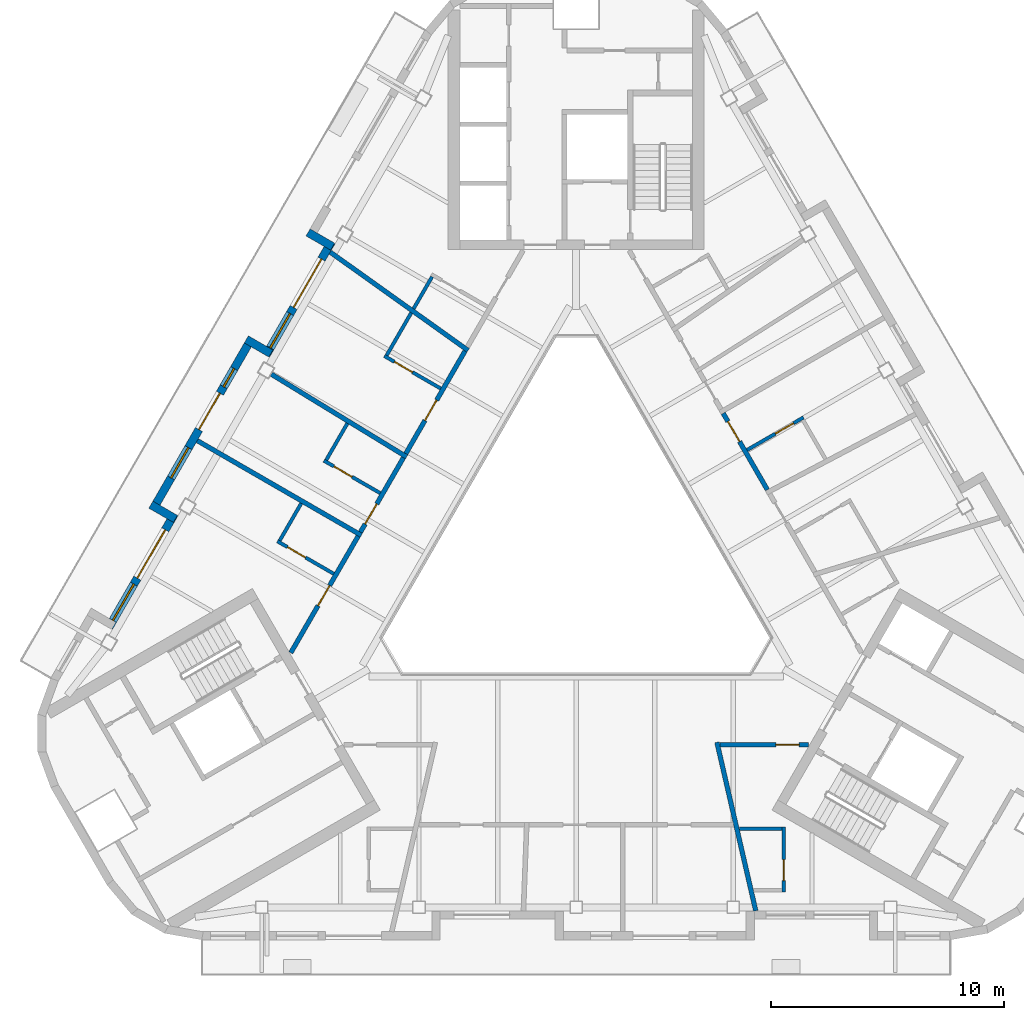
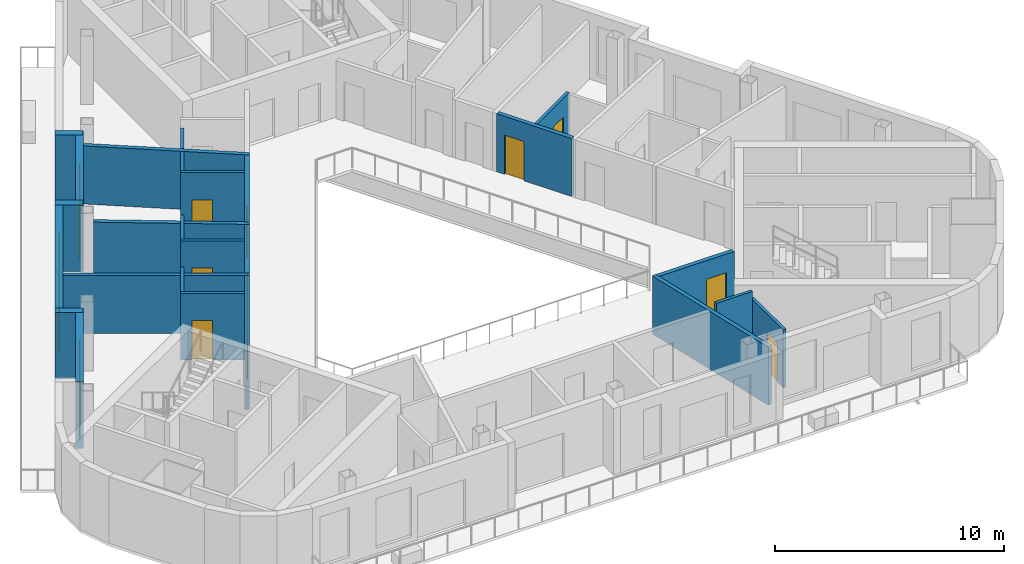
# One storey, part 4 of 12: 25 walls, 13 doors, 4 windows, 17 openings.
"""IFC4 building model written with IfcOpenShell, lengths in metres."""

import ifcopenshell
import ifcopenshell.guid

model = None  # the IFC model being written
_history = None  # IfcOwnerHistory: only IFC2X3 demands one
_inside = {}  # id of a spatial element -> (the spatial element, [elements in it])
_under = {}  # id of a project, library or spatial element -> (it, [spatial elements below it])
_declared = {}  # id of a project -> (the project, [libraries it declares])
_typed = {}  # id of a type object -> (the type object, [elements of that type])
_made_of = {}  # id of a material, layer set ... -> (it, [elements and type objects made of it])


def new_model(schema):
    """Start an empty IFC model of exactly this schema.

    Asked for "IFC4X3", IfcOpenShell would pick the latest addendum, in which some entities
    have other attributes; the version numbers below select the first issue.
    IFC2X3 requires an IfcOwnerHistory on every rooted entity: one is made here for all.
    """
    global model, _history
    if schema == "IFC4X3":
        model = ifcopenshell.file(schema_version=(4, 3, 0, 0))
    else:
        model = ifcopenshell.file(schema=schema)
    _inside.clear()
    _under.clear()
    _declared.clear()
    _typed.clear()
    _made_of.clear()
    _history = None
    if model.schema == "IFC2X3":
        org = make("IfcOrganization", Name="unknown")
        user = make(
            "IfcPersonAndOrganization",
            ThePerson=make("IfcPerson", FamilyName="unknown"),
            TheOrganization=org,
        )
        app = make(
            "IfcApplication",
            ApplicationDeveloper=org,
            Version="unknown",
            ApplicationFullName="unknown",
            ApplicationIdentifier="unknown",
        )
        _history = make(
            "IfcOwnerHistory",
            OwningUser=user,
            OwningApplication=app,
            ChangeAction="ADDED",
            CreationDate=0,
        )
    return model


def make(cls, **values):
    """One entity of the class cls with the attributes given. An attribute that is None is left unset."""
    return model.create_entity(
        cls, **{name: value for name, value in values.items() if value is not None}
    )


def rooted(cls, **values):
    """An entity with a GlobalId (a new one), such as an element, a storey or a relation."""
    return make(cls, GlobalId=ifcopenshell.guid.new(), OwnerHistory=_history, **values)


def si_unit(unit_type, name, prefix=None):
    """IfcSIUnit, for example si_unit("LENGTHUNIT", "METRE", prefix="MILLI")."""
    return make("IfcSIUnit", UnitType=unit_type, Prefix=prefix, Name=name)


def assignment(units):
    """IfcUnitAssignment: the units of a project."""
    return None if units is None else make("IfcUnitAssignment", Units=units)


def point(xyz):
    """IfcCartesianPoint."""
    return None if xyz is None else make("IfcCartesianPoint", Coordinates=xyz)


def direction(xyz):
    """IfcDirection."""
    return None if xyz is None else make("IfcDirection", DirectionRatios=xyz)


def frame(location, z_axis=None, x_axis=None):
    """IfcAxis2Placement3D, a coordinate frame: its origin and axes. An axis left out is left unset."""
    return make(
        "IfcAxis2Placement3D",
        Location=point(location),
        Axis=direction(z_axis),
        RefDirection=direction(x_axis),
    )


def frame_2d(location, x_axis=None):
    """IfcAxis2Placement2D, a coordinate frame in the plane: its origin and x axis."""
    return make(
        "IfcAxis2Placement2D", Location=point(location), RefDirection=direction(x_axis)
    )


def origin():
    """The frame at (0, 0, 0) with its axes left unset."""
    return frame((0.0, 0.0, 0.0))


def place(relative_to, where):
    """IfcLocalPlacement: puts the frame where relative to a parent placement (None: the world)."""
    return make(
        "IfcLocalPlacement", PlacementRelTo=relative_to, RelativePlacement=where
    )


def context(
    kind, dimensions, precision=None, world=None, true_north=None, identifier=None
):
    """IfcGeometricRepresentationContext, for example the 3D "Model" context."""
    return make(
        "IfcGeometricRepresentationContext",
        ContextIdentifier=identifier,
        ContextType=kind,
        CoordinateSpaceDimension=dimensions,
        Precision=precision,
        WorldCoordinateSystem=world,
        TrueNorth=true_north,
    )


def subcontext(parent, identifier, kind, view, scale=None):
    """IfcGeometricRepresentationSubContext, for example "Body" below "Model"."""
    return make(
        "IfcGeometricRepresentationSubContext",
        ContextIdentifier=identifier,
        ContextType=kind,
        ParentContext=parent,
        TargetScale=scale,
        TargetView=view,
    )


def project(units=None, contexts=None):
    """IfcProject with its units and contexts."""
    return rooted(
        "IfcProject",
        Name="project",
        RepresentationContexts=contexts,
        UnitsInContext=assignment(units),
    )


def spatial(cls, under=None, at=None, **own):
    """A site, building, storey or space (cls), placed at a placement, below another one or the project."""
    s = rooted(cls, ObjectPlacement=at, **own)
    if under is not None:
        _under.setdefault(under.id(), (under, []))[1].append(s)
    return s


def profile(cls, at=None, kind="AREA", **sizes):
    """A parametric profile (cls). Its sizes go by their IFC names, for example OverallWidth=200.0."""
    return make(cls, ProfileType=kind, Position=at, **sizes)


def rectangle(**sizes):
    """IfcRectangleProfileDef."""
    return profile("IfcRectangleProfileDef", **sizes)


def extrude(swept, where, along, depth):
    """IfcExtrudedAreaSolid: the profile swept, set in the frame where, extruded along a direction by depth."""
    return make(
        "IfcExtrudedAreaSolid",
        SweptArea=swept,
        Position=where,
        ExtrudedDirection=direction(along),
        Depth=depth,
    )


def shape(context_of_items, identifier, shape_type, items):
    """IfcShapeRepresentation: the items that make up one representation, for example the "Body"."""
    return make(
        "IfcShapeRepresentation",
        ContextOfItems=context_of_items,
        RepresentationIdentifier=identifier,
        RepresentationType=shape_type,
        Items=items,
    )


def material(Name=None, Category=None):
    """IfcMaterial."""
    return make("IfcMaterial", Name=Name, Category=Category)


def layer(
    of_material, thickness, ventilated=None, Name=None, Category=None, Priority=None
):
    """IfcMaterialLayer: one layer of a wall or slab, of a material (None: an air gap)."""
    return make(
        "IfcMaterialLayer",
        Material=of_material,
        LayerThickness=thickness,
        IsVentilated=ventilated,
        Name=Name,
        Category=Category,
        Priority=Priority,
    )


def layer_set(layers, Name=None):
    """IfcMaterialLayerSet."""
    return make("IfcMaterialLayerSet", MaterialLayers=layers, LayerSetName=Name)


def made_of(thing, what):
    """Note that an element or type object is made of a material, layer set ...; save() writes the relation."""
    if what is not None:
        _made_of.setdefault(what.id(), (what, []))[1].append(thing)
    return thing


def type_object(cls, material=None, **own):
    """A type object (cls), such as IfcWallType, which elements share."""
    return made_of(rooted(cls, **own), material)


def element(
    cls,
    number,
    at=None,
    inside=None,
    cuts=None,
    type_object=None,
    material=None,
    context=None,
    identifier="Body",
    shape_type=None,
    held_by="IfcProductDefinitionShape",
    body=None,
    shapes=None,
    **own,
):
    """One element of the class cls, such as IfcWall. Its Tag is "e" and its number.

    at: its placement. inside: the storey or other place that contains it. cuts: it is an
    opening in that element (IfcRelVoidsElement). A single representation is given by context,
    identifier, shape_type and body (its items); several are given by shapes. held_by: the class
    of the entity that holds the representations. save() writes the other relations.
    """
    e = rooted(cls, Tag="e%d" % number, ObjectPlacement=at, **own)
    if body is not None:
        shapes = [shape(context, identifier, shape_type, body)]
    if shapes is not None:
        e.Representation = make(held_by, Representations=shapes)
    if inside is not None:
        _inside.setdefault(inside.id(), (inside, []))[1].append(e)
    if cuts is not None:
        rooted(
            "IfcRelVoidsElement", RelatingBuildingElement=cuts, RelatedOpeningElement=e
        )
    if type_object is not None:
        _typed.setdefault(type_object.id(), (type_object, []))[1].append(e)
    return made_of(e, material)


def fill(opening, filler):
    """IfcRelFillsElement: the door or window that sits in an opening."""
    return rooted(
        "IfcRelFillsElement",
        RelatingOpeningElement=opening,
        RelatedBuildingElement=filler,
    )


def aggregate(whole, parts):
    """IfcRelAggregates: a whole, such as a stair, and the parts it consists of."""
    return rooted("IfcRelAggregates", RelatingObject=whole, RelatedObjects=parts)


def save(model, path):
    """Write the relations noted so far, then the file.

    IfcRelAggregates (storeys below a building ...), IfcRelContainedInSpatialStructure (elements
    in a storey), IfcRelDefinesByType, IfcRelAssociatesMaterial and IfcRelDeclares: one each for
    every whole, place, type object, material and project.
    """
    for whole, parts in _under.values():
        aggregate(whole, parts)
    for where, things in _inside.values():
        rooted(
            "IfcRelContainedInSpatialStructure",
            RelatedElements=things,
            RelatingStructure=where,
        )
    for kind, things in _typed.values():
        rooted("IfcRelDefinesByType", RelatedObjects=things, RelatingType=kind)
    for what, things in _made_of.values():
        rooted("IfcRelAssociatesMaterial", RelatedObjects=things, RelatingMaterial=what)
    for by, libraries in _declared.values():
        rooted("IfcRelDeclares", RelatingContext=by, RelatedDefinitions=libraries)
    model.write(path)


model = new_model("IFC4")

# Units and contexts
model_context = context("Model", 3, precision=1e-05, world=origin(), true_north=direction((0.0, 1.0)))
body_context = subcontext(model_context, "Body", "Model", "MODEL_VIEW")
ifc_project = project(units=[si_unit("LENGTHUNIT", "METRE"), si_unit("AREAUNIT", "SQUARE_METRE"), si_unit("VOLUMEUNIT", "CUBIC_METRE"), si_unit("PLANEANGLEUNIT", "RADIAN"), si_unit("MASSUNIT", "GRAM", prefix="KILO")], contexts=[model_context])

# Site, building, storey
site_placement = place(None, origin())
site = spatial("IfcSite", under=ifc_project, at=site_placement, CompositionType="ELEMENT")
building_placement = place(site_placement, origin())
building = spatial("IfcBuilding", under=site, at=building_placement, Name="Apuvela Tower Hotel", CompositionType="ELEMENT")
storey_placement = place(building_placement, frame((0.0, 0.0, 305.89990234375)))
storey = spatial("IfcBuildingStorey", under=building, at=storey_placement, Name="L76", CompositionType="ELEMENT", Elevation=305.89990234375)

# Wall
ifc_material_1 = material(Name="Concrete C40/50, dark pigmented precast panel", Category="concrete")
ifc_layer_1 = layer(ifc_material_1, 0.35009765625)
ifc_layer_set_1 = layer_set([ifc_layer_1], Name="ENV-WALL-350")
wall_type_1 = type_object("IfcWallType", Name="ENV-WALL-350", PredefinedType="SOLIDWALL", material=ifc_layer_set_1)
wall_1_placement = place(storey_placement, frame((-11.527587890625, 13.622802734375, 0.0), z_axis=(0.0, 0.0, 1.0), x_axis=(0.866005645448, -0.500034220881, 0.0)))
element("IfcWall", 1, at=wall_1_placement, inside=storey, type_object=wall_type_1, Name="External wall L76-02", PredefinedType="SOLIDWALL", context=body_context, shape_type="SweptSolid", body=[
    extrude(rectangle(XDim=1.22021484375, YDim=0.35009765625, at=frame_2d((0.610107421875, 0.0))), origin(), (0.0, 0.0, 1.0), 3.550048828125),
])

# Wall, openings, door, window
wall_2_placement = place(storey_placement, frame((-10.52392578125, 13.2109375, 0.0), z_axis=(0.0, 0.0, 1.0), x_axis=(-0.500008054862, -0.866020753258, 0.0)))
wall_2 = element("IfcWall", 2, at=wall_2_placement, inside=storey, type_object=wall_type_1, Name="External wall L76-03", PredefinedType="SOLIDWALL", context=body_context, shape_type="SweptSolid", body=[
    extrude(rectangle(XDim=5.59912109375, YDim=0.35009765625, at=frame_2d((2.799560546875, 0.0))), origin(), (0.0, 0.0, 1.0), 3.550048828125),
])
opening_1_placement = place(wall_2_placement, frame((0.85107421875, 0.0, 0.0)))
opening_1 = element("IfcOpeningElement", 3, at=opening_1_placement, cuts=wall_2, Name="Opening BD24", PredefinedType="OPENING", context=body_context, shape_type="SweptSolid", body=[
    extrude(rectangle(XDim=2.39990234375, YDim=2.39990234375, at=frame_2d((1.199951171875, 1.199951171875))), frame((0.0, 0.18505859375, 0.0), z_axis=(0.0, -1.0, 0.0), x_axis=(1.0, 0.0, 0.0)), (0.0, 0.0, 1.0), 0.3701171875),
])
opening_2_placement = place(wall_2_placement, frame((3.551025390625, 0.0, 0.300048828125)))
opening_2 = element("IfcOpeningElement", 4, at=opening_2_placement, cuts=wall_2, Name="Opening WN17", PredefinedType="OPENING", context=body_context, shape_type="SweptSolid", body=[
    extrude(rectangle(XDim=1.699951171875, YDim=2.64990234375, at=frame_2d((0.85009765625, 1.324951171875))), frame((0.0, 0.18505859375, 0.0), z_axis=(0.0, -1.0, 0.0), x_axis=(1.0, 0.0, 0.0)), (0.0, 0.0, 1.0), 0.3701171875),
])
ifc_material_2 = material(Name="Aluminium 6063-T6, dark bronze anodised frame with dark tinted laminated glass", Category="aluminium")
door_type_1 = type_object("IfcDoorType", Name="ENV-DOOR-BALCONY-2400x2400", OperationType="SLIDING_TO_LEFT", PredefinedType="DOOR", material=ifc_material_2)
door_1_placement = place(opening_1_placement, frame((2.39990234375, 0.0, 0.0), z_axis=(0.0, 0.0, 1.0), x_axis=(-1.0, 0.0, 0.0)))
door_1 = element("IfcDoor", 5, at=door_1_placement, inside=storey, type_object=door_type_1, Name="Balcony door BD24", OperationType="SLIDING_TO_LEFT", OverallHeight=2.39990234375, OverallWidth=2.39990234375, PredefinedType="DOOR", context=body_context, shape_type="SweptSolid", body=[
    extrude(rectangle(XDim=2.39990234375, YDim=2.39990234375, at=frame_2d((1.199951171875, 1.199951171875))), frame((0.0, 0.02490234375, 0.0), z_axis=(0.0, -1.0, 0.0), x_axis=(1.0, 0.0, 0.0)), (0.0, 0.0, 1.0), 0.050048828125),
])
fill(opening_1, door_1)
ifc_material_3 = material(Name="Glass, dark tinted laminated insulated glazing unit", Category="glass")
window_type_1 = type_object("IfcWindowType", Name="ENV-WIN-1700x2650", PartitioningType="SINGLE_PANEL", PredefinedType="WINDOW", material=ifc_material_3)
window_1_placement = place(opening_2_placement, origin())
window_1 = element("IfcWindow", 6, at=window_1_placement, inside=storey, type_object=window_type_1, Name="Window WN17", OverallHeight=2.64990234375, OverallWidth=1.699951171875, PartitioningType="SINGLE_PANEL", PredefinedType="WINDOW", context=body_context, shape_type="SweptSolid", body=[
    extrude(rectangle(XDim=1.699951171875, YDim=2.64990234375, at=frame_2d((0.85009765625, 1.324951171875))), frame((0.0, 0.030029296875, 0.0), z_axis=(0.0, -1.0, 0.0), x_axis=(1.0, 0.0, 0.0)), (0.0, 0.0, 1.0), 0.06005859375),
])
fill(opening_2, window_1)

# Wall
wall_3_placement = place(storey_placement, frame((-13.12548828125, 8.4150390625, 0.0), z_axis=(0.0, 0.0, 1.0), x_axis=(-0.865955602162, 0.500120880472, 0.0)))
element("IfcWall", 7, at=wall_3_placement, inside=storey, type_object=wall_type_1, Name="External wall L76-04", PredefinedType="SOLIDWALL", context=body_context, shape_type="SweptSolid", body=[
    extrude(rectangle(XDim=1.219970703125, YDim=0.35009765625, at=frame_2d((0.60986328125, 0.0))), origin(), (0.0, 0.0, 1.0), 3.550048828125),
])

# Wall, openings, door, windows
wall_4_placement = place(storey_placement, frame((-13.94287109375, 9.089111328125, 0.0), z_axis=(0.0, 0.0, 1.0), x_axis=(-0.500013816581, -0.866017426631, 0.0)))
wall_4 = element("IfcWall", 8, at=wall_4_placement, inside=storey, type_object=wall_type_1, Name="External wall L76-05", PredefinedType="SOLIDWALL", context=body_context, shape_type="SweptSolid", body=[
    extrude(rectangle(XDim=8.558837890625, YDim=0.35009765625, at=frame_2d((4.279296875, 0.0))), origin(), (0.0, 0.0, 1.0), 3.550048828125),
])
opening_3_placement = place(wall_4_placement, frame((2.750244140625, 0.0, 0.0)))
opening_3 = element("IfcOpeningElement", 9, at=opening_3_placement, cuts=wall_4, Name="Opening BD18", PredefinedType="OPENING", context=body_context, shape_type="SweptSolid", body=[
    extrude(rectangle(XDim=1.800048828125, YDim=2.39990234375, at=frame_2d((0.89990234375, 1.199951171875))), frame((0.0, 0.18505859375, 0.0), z_axis=(0.0, -1.0, 0.0), x_axis=(1.0, 0.0, 0.0)), (0.0, 0.0, 1.0), 0.3701171875),
])
opening_4_placement = place(wall_4_placement, frame((1.52490234375, 0.0, 0.300048828125)))
opening_4 = element("IfcOpeningElement", 10, at=opening_4_placement, cuts=wall_4, Name="Opening WN09", PredefinedType="OPENING", context=body_context, shape_type="SweptSolid", body=[
    extrude(rectangle(XDim=0.89990234375, YDim=2.64990234375, at=frame_2d((0.449951171875, 1.324951171875))), frame((0.0, 0.18505859375, 0.0), z_axis=(0.0, -1.0, 0.0), x_axis=(1.0, 0.0, 0.0)), (0.0, 0.0, 1.0), 0.3701171875),
])
opening_5_placement = place(wall_4_placement, frame((5.4501953125, 0.0, 0.300048828125)))
opening_5 = element("IfcOpeningElement", 11, at=opening_5_placement, cuts=wall_4, Name="Opening WN15", PredefinedType="OPENING", context=body_context, shape_type="SweptSolid", body=[
    extrude(rectangle(XDim=1.5, YDim=2.64990234375, at=frame_2d((0.75, 1.324951171875))), frame((0.0, 0.18505859375, 0.0), z_axis=(0.0, -1.0, 0.0), x_axis=(1.0, 0.0, 0.0)), (0.0, 0.0, 1.0), 0.3701171875),
])
door_type_2 = type_object("IfcDoorType", Name="ENV-DOOR-BALCONY-1800x2400", OperationType="SLIDING_TO_LEFT", PredefinedType="DOOR", material=ifc_material_2)
door_2_placement = place(opening_3_placement, frame((1.800048828125, 0.0, 0.0), z_axis=(0.0, 0.0, 1.0), x_axis=(-1.0, 0.0, 0.0)))
door_2 = element("IfcDoor", 12, at=door_2_placement, inside=storey, type_object=door_type_2, Name="Balcony door BD18", OperationType="SLIDING_TO_LEFT", OverallHeight=2.39990234375, OverallWidth=1.800048828125, PredefinedType="DOOR", context=body_context, shape_type="SweptSolid", body=[
    extrude(rectangle(XDim=1.800048828125, YDim=2.39990234375, at=frame_2d((0.89990234375, 1.199951171875))), frame((0.0, 0.02490234375, 0.0), z_axis=(0.0, -1.0, 0.0), x_axis=(1.0, 0.0, 0.0)), (0.0, 0.0, 1.0), 0.050048828125),
])
fill(opening_3, door_2)
window_type_2 = type_object("IfcWindowType", Name="ENV-WIN-1500x2650", PartitioningType="SINGLE_PANEL", PredefinedType="WINDOW", material=ifc_material_3)
window_2_placement = place(opening_5_placement, origin())
window_2 = element("IfcWindow", 13, at=window_2_placement, inside=storey, type_object=window_type_2, Name="Window WN15", OverallHeight=2.64990234375, OverallWidth=1.5, PartitioningType="SINGLE_PANEL", PredefinedType="WINDOW", context=body_context, shape_type="SweptSolid", body=[
    extrude(rectangle(XDim=1.5, YDim=2.64990234375, at=frame_2d((0.75, 1.324951171875))), frame((0.0, 0.030029296875, 0.0), z_axis=(0.0, -1.0, 0.0), x_axis=(1.0, 0.0, 0.0)), (0.0, 0.0, 1.0), 0.06005859375),
])
fill(opening_5, window_2)
window_type_3 = type_object("IfcWindowType", Name="ENV-WIN-900x2650", PartitioningType="SINGLE_PANEL", PredefinedType="WINDOW", material=ifc_material_3)
window_3_placement = place(opening_4_placement, origin())
window_3 = element("IfcWindow", 14, at=window_3_placement, inside=storey, type_object=window_type_3, Name="Window WN09", OverallHeight=2.64990234375, OverallWidth=0.89990234375, PartitioningType="SINGLE_PANEL", PredefinedType="WINDOW", context=body_context, shape_type="SweptSolid", body=[
    extrude(rectangle(XDim=0.89990234375, YDim=2.64990234375, at=frame_2d((0.449951171875, 1.324951171875))), frame((0.0, 0.030029296875, 0.0), z_axis=(0.0, -1.0, 0.0), x_axis=(1.0, 0.0, 0.0)), (0.0, 0.0, 1.0), 0.06005859375),
])
fill(opening_4, window_3)

# Wall
wall_5_placement = place(storey_placement, frame((-18.28662109375, 1.916015625, 0.0), z_axis=(0.0, 0.0, 1.0), x_axis=(0.866142280446, -0.499797509021, 0.0)))
element("IfcWall", 15, at=wall_5_placement, inside=storey, type_object=wall_type_1, Name="External wall L76-06", PredefinedType="SOLIDWALL", context=body_context, shape_type="SweptSolid", body=[
    extrude(rectangle(XDim=1.22021484375, YDim=0.35009765625, at=frame_2d((0.610107421875, 0.0))), origin(), (0.0, 0.0, 1.0), 3.550048828125),
])

# Wall, openings, door, window
wall_6_placement = place(storey_placement, frame((-17.282958984375, 1.504150390625, 0.0), z_axis=(0.0, 0.0, 1.0), x_axis=(-0.500008054862, -0.866020753258, 0.0)))
wall_6 = element("IfcWall", 16, at=wall_6_placement, inside=storey, type_object=wall_type_1, Name="External wall L76-07", PredefinedType="SOLIDWALL", context=body_context, shape_type="SweptSolid", body=[
    extrude(rectangle(XDim=5.59912109375, YDim=0.35009765625, at=frame_2d((2.799560546875, 0.0))), origin(), (0.0, 0.0, 1.0), 3.550048828125),
])
opening_6_placement = place(wall_6_placement, frame((0.77001953125, 0.0, 0.0)))
opening_6 = element("IfcOpeningElement", 17, at=opening_6_placement, cuts=wall_6, Name="Opening BD24", PredefinedType="OPENING", context=body_context, shape_type="SweptSolid", body=[
    extrude(rectangle(XDim=2.39990234375, YDim=2.39990234375, at=frame_2d((1.199951171875, 1.199951171875))), frame((0.0, 0.18505859375, 0.0), z_axis=(0.0, -1.0, 0.0), x_axis=(1.0, 0.0, 0.0)), (0.0, 0.0, 1.0), 0.3701171875),
])
opening_7_placement = place(wall_6_placement, frame((3.47021484375, 0.0, 0.300048828125)))
opening_7 = element("IfcOpeningElement", 18, at=opening_7_placement, cuts=wall_6, Name="Opening WN18", PredefinedType="OPENING", context=body_context, shape_type="SweptSolid", body=[
    extrude(rectangle(XDim=1.800048828125, YDim=2.64990234375, at=frame_2d((0.89990234375, 1.324951171875))), frame((0.0, 0.18505859375, 0.0), z_axis=(0.0, -1.0, 0.0), x_axis=(1.0, 0.0, 0.0)), (0.0, 0.0, 1.0), 0.3701171875),
])
door_3_placement = place(opening_6_placement, frame((2.39990234375, 0.0, 0.0), z_axis=(0.0, 0.0, 1.0), x_axis=(-1.0, 0.0, 0.0)))
door_3 = element("IfcDoor", 19, at=door_3_placement, inside=storey, type_object=door_type_1, Name="Balcony door BD24", OperationType="SLIDING_TO_LEFT", OverallHeight=2.39990234375, OverallWidth=2.39990234375, PredefinedType="DOOR", context=body_context, shape_type="SweptSolid", body=[
    extrude(rectangle(XDim=2.39990234375, YDim=2.39990234375, at=frame_2d((1.199951171875, 1.199951171875))), frame((0.0, 0.02490234375, 0.0), z_axis=(0.0, -1.0, 0.0), x_axis=(1.0, 0.0, 0.0)), (0.0, 0.0, 1.0), 0.050048828125),
])
fill(opening_6, door_3)
window_type_4 = type_object("IfcWindowType", Name="ENV-WIN-1800x2650", PartitioningType="SINGLE_PANEL", PredefinedType="WINDOW", material=ifc_material_3)
window_4_placement = place(opening_7_placement, origin())
window_4 = element("IfcWindow", 20, at=window_4_placement, inside=storey, type_object=window_type_4, Name="Window WN18", OverallHeight=2.64990234375, OverallWidth=1.800048828125, PartitioningType="SINGLE_PANEL", PredefinedType="WINDOW", context=body_context, shape_type="SweptSolid", body=[
    extrude(rectangle(XDim=1.800048828125, YDim=2.64990234375, at=frame_2d((0.89990234375, 1.324951171875))), frame((0.0, 0.030029296875, 0.0), z_axis=(0.0, -1.0, 0.0), x_axis=(1.0, 0.0, 0.0)), (0.0, 0.0, 1.0), 0.06005859375),
])
fill(opening_7, window_4)

# Walls
ifc_material_4 = material(Name="Gypsum board partition on twin steel stud", Category="steel")
ifc_layer_2 = layer(ifc_material_4, 0.199951171875)
ifc_layer_set_2 = layer_set([ifc_layer_2], Name="GST-PW1")
wall_type_2 = type_object("IfcWallType", Name="GST-PW1", PredefinedType="PARTITIONING", material=ifc_layer_set_2)
wall_7_placement = place(storey_placement, frame((7.72265625, -15.544677734375, 0.0), z_axis=(0.0, 0.0, 1.0), x_axis=(-0.224458954761, 0.974483544052, 0.0)))
element("IfcWall", 21, at=wall_7_placement, inside=storey, type_object=wall_type_2, Name="L76 partition 04", PredefinedType="PARTITIONING", context=body_context, shape_type="SweptSolid", body=[
    extrude(rectangle(XDim=7.434326171875, YDim=0.199951171875, at=frame_2d((3.71728515625, 0.0))), origin(), (0.0, 0.0, 1.0), 3.10009765625),
])
wall_8_placement = place(storey_placement, frame((-10.57275390625, 12.7763671875, 0.0), z_axis=(0.0, 0.0, 1.0), x_axis=(0.814114082564, -0.580704968613, 0.0)))
element("IfcWall", 22, at=wall_8_placement, inside=storey, type_object=wall_type_2, Name="L76 partition 09", PredefinedType="PARTITIONING", context=body_context, shape_type="SweptSolid", body=[
    extrude(rectangle(XDim=7.27783203125, YDim=0.199951171875, at=frame_2d((3.638916015625, 0.0))), origin(), (0.0, 0.0, 1.0), 3.10009765625),
])
wall_9_placement = place(storey_placement, frame((-13.110595703125, 7.531005859375, 0.0), z_axis=(0.0, 0.0, 1.0), x_axis=(0.853158842711, -0.521651214034, 0.0)))
element("IfcWall", 23, at=wall_9_placement, inside=storey, type_object=wall_type_2, Name="L76 partition 10", PredefinedType="PARTITIONING", context=body_context, shape_type="SweptSolid", body=[
    extrude(rectangle(XDim=6.82177734375, YDim=0.199951171875, at=frame_2d((3.410888671875, 0.0))), origin(), (0.0, 0.0, 1.0), 3.10009765625),
])
wall_10_placement = place(storey_placement, frame((-16.29150390625, 4.671630859375, 0.0), z_axis=(0.0, 0.0, 1.0), x_axis=(0.866028345359, -0.499994905008, 0.0)))
element("IfcWall", 24, at=wall_10_placement, inside=storey, type_object=wall_type_2, Name="L76 partition 11", PredefinedType="PARTITIONING", context=body_context, shape_type="SweptSolid", body=[
    extrude(rectangle(XDim=8.14453125, YDim=0.199951171875, at=frame_2d((4.072265625, 0.0))), origin(), (0.0, 0.0, 1.0), 3.10009765625),
])

# Wall, opening, door
ifc_material_5 = material(Name="Gypsum board corridor wall on twin steel stud, acoustic", Category="steel")
ifc_layer_3 = layer(ifc_material_5, 0.199951171875)
ifc_layer_set_3 = layer_set([ifc_layer_3], Name="GST-PW2")
wall_type_3 = type_object("IfcWallType", Name="GST-PW2", PredefinedType="PARTITIONING", material=ifc_layer_set_3)
wall_11_placement = place(storey_placement, frame((9.98828125, -8.39990234375, 0.0), z_axis=(0.0, 0.0, 1.0), x_axis=(-1.0, 0.0, 0.0)))
wall_11 = element("IfcWall", 25, at=wall_11_placement, inside=storey, type_object=wall_type_3, Name="L76 partition 19", PredefinedType="PARTITIONING", context=body_context, shape_type="SweptSolid", body=[
    extrude(rectangle(XDim=3.80859375, YDim=0.199951171875, at=frame_2d((1.904296875, 0.0))), origin(), (0.0, 0.0, 1.0), 3.10009765625),
])
opening_8_placement = place(wall_11_placement, frame((0.39990234375, 0.0, 0.0)))
opening_8 = element("IfcOpeningElement", 26, at=opening_8_placement, cuts=wall_11, Name="Opening GD31-07", PredefinedType="OPENING", context=body_context, shape_type="SweptSolid", body=[
    extrude(rectangle(XDim=1.0, YDim=2.10009765625, at=frame_2d((0.5, 1.050048828125))), frame((0.0, 0.10986328125, 0.0), z_axis=(0.0, -1.0, 0.0), x_axis=(1.0, 0.0, 0.0)), (0.0, 0.0, 1.0), 0.219970703125),
])
ifc_material_6 = material(Name="Timber door leaf in steel frame", Category="steel")
door_type_3 = type_object("IfcDoorType", Name="GST-D1", OperationType="NOTDEFINED", PredefinedType="DOOR", material=ifc_material_6)
door_4_placement = place(opening_8_placement, origin())
door_4 = element("IfcDoor", 27, at=door_4_placement, inside=storey, type_object=door_type_3, Name="Door L76-07", OperationType="SINGLE_SWING_LEFT", OverallHeight=2.10009765625, OverallWidth=1.0, PredefinedType="DOOR", context=body_context, shape_type="SweptSolid", body=[
    extrude(rectangle(XDim=1.0, YDim=2.10009765625, at=frame_2d((0.5, 1.050048828125))), frame((0.0, 0.02490234375, 0.0), z_axis=(0.0, -1.0, 0.0), x_axis=(1.0, 0.0, 0.0)), (0.0, 0.0, 1.0), 0.050048828125),
])
fill(opening_8, door_4)

wall_12_placement = place(storey_placement, frame((6.32470703125, 5.845458984375, 0.0), z_axis=(0.0, 0.0, 1.0), x_axis=(0.499971120268, -0.866042076863, 0.0)))
wall_12 = element("IfcWall", 28, at=wall_12_placement, inside=storey, type_object=wall_type_3, Name="L76 partition 29", PredefinedType="PARTITIONING", context=body_context, shape_type="SweptSolid", body=[
    extrude(rectangle(XDim=3.796142578125, YDim=0.199951171875, at=frame_2d((1.89794921875, 0.0))), origin(), (0.0, 0.0, 1.0), 3.10009765625),
])
opening_9_placement = place(wall_12_placement, frame((0.40185546875, 0.0, 0.0)))
opening_9 = element("IfcOpeningElement", 29, at=opening_9_placement, cuts=wall_12, Name="Opening GD31-13", PredefinedType="OPENING", context=body_context, shape_type="SweptSolid", body=[
    extrude(rectangle(XDim=1.0, YDim=2.10009765625, at=frame_2d((0.5, 1.050048828125))), frame((0.0, 0.10986328125, 0.0), z_axis=(0.0, -1.0, 0.0), x_axis=(1.0, 0.0, 0.0)), (0.0, 0.0, 1.0), 0.219970703125),
])
door_5_placement = place(opening_9_placement, origin())
door_5 = element("IfcDoor", 30, at=door_5_placement, inside=storey, type_object=door_type_3, Name="Door L76-13", OperationType="SINGLE_SWING_LEFT", OverallHeight=2.10009765625, OverallWidth=1.0, PredefinedType="DOOR", context=body_context, shape_type="SweptSolid", body=[
    extrude(rectangle(XDim=1.0, YDim=2.10009765625, at=frame_2d((0.5, 1.050048828125))), frame((0.0, 0.02490234375, 0.0), z_axis=(0.0, -1.0, 0.0), x_axis=(1.0, 0.0, 0.0)), (0.0, 0.0, 1.0), 0.050048828125),
])
fill(opening_9, door_5)

wall_13_placement = place(storey_placement, frame((-7.325927734375, 4.111083984375, 0.0), z_axis=(0.0, 0.0, 1.0), x_axis=(0.499970062876, 0.866042687301, 0.0)))
wall_13 = element("IfcWall", 31, at=wall_13_placement, inside=storey, type_object=wall_type_3, Name="L76 partition 41", PredefinedType="PARTITIONING", context=body_context, shape_type="SweptSolid", body=[
    extrude(rectangle(XDim=5.092529296875, YDim=0.199951171875, at=frame_2d((2.54638671875, 0.0))), origin(), (0.0, 0.0, 1.0), 3.10009765625),
])
opening_10_placement = place(wall_13_placement, frame((1.652099609375, 0.0, 0.0)))
opening_10 = element("IfcOpeningElement", 32, at=opening_10_placement, cuts=wall_13, Name="Opening GD31-21", PredefinedType="OPENING", context=body_context, shape_type="SweptSolid", body=[
    extrude(rectangle(XDim=1.0, YDim=2.10009765625, at=frame_2d((0.5, 1.050048828125))), frame((0.0, 0.10986328125, 0.0), z_axis=(0.0, -1.0, 0.0), x_axis=(1.0, 0.0, 0.0)), (0.0, 0.0, 1.0), 0.219970703125),
])
door_6_placement = place(opening_10_placement, origin())
door_6 = element("IfcDoor", 33, at=door_6_placement, inside=storey, type_object=door_type_3, Name="Door L76-21", OperationType="SINGLE_SWING_LEFT", OverallHeight=2.10009765625, OverallWidth=1.0, PredefinedType="DOOR", context=body_context, shape_type="SweptSolid", body=[
    extrude(rectangle(XDim=1.0, YDim=2.10009765625, at=frame_2d((0.5, 1.050048828125))), frame((0.0, 0.02490234375, 0.0), z_axis=(0.0, -1.0, 0.0), x_axis=(1.0, 0.0, 0.0)), (0.0, 0.0, 1.0), 0.050048828125),
])
fill(opening_10, door_6)

wall_14_placement = place(storey_placement, frame((-9.274658203125, 0.73583984375, 0.0), z_axis=(0.0, 0.0, 1.0), x_axis=(0.50002346599, 0.866011855265, 0.0)))
wall_14 = element("IfcWall", 34, at=wall_14_placement, inside=storey, type_object=wall_type_3, Name="L76 partition 44", PredefinedType="PARTITIONING", context=body_context, shape_type="SweptSolid", body=[
    extrude(rectangle(XDim=3.697509765625, YDim=0.199951171875, at=frame_2d((1.8486328125, 0.0))), origin(), (0.0, 0.0, 1.0), 3.10009765625),
])
opening_11_placement = place(wall_14_placement, frame((0.4013671875, 0.0, 0.0)))
opening_11 = element("IfcOpeningElement", 35, at=opening_11_placement, cuts=wall_14, Name="Opening GD31-23", PredefinedType="OPENING", context=body_context, shape_type="SweptSolid", body=[
    extrude(rectangle(XDim=1.0, YDim=2.10009765625, at=frame_2d((0.5, 1.050048828125))), frame((0.0, 0.10986328125, 0.0), z_axis=(0.0, -1.0, 0.0), x_axis=(1.0, 0.0, 0.0)), (0.0, 0.0, 1.0), 0.219970703125),
])
door_7_placement = place(opening_11_placement, origin())
door_7 = element("IfcDoor", 36, at=door_7_placement, inside=storey, type_object=door_type_3, Name="Door L76-23", OperationType="SINGLE_SWING_LEFT", OverallHeight=2.10009765625, OverallWidth=1.0, PredefinedType="DOOR", context=body_context, shape_type="SweptSolid", body=[
    extrude(rectangle(XDim=1.0, YDim=2.10009765625, at=frame_2d((0.5, 1.050048828125))), frame((0.0, 0.02490234375, 0.0), z_axis=(0.0, -1.0, 0.0), x_axis=(1.0, 0.0, 0.0)), (0.0, 0.0, 1.0), 0.050048828125),
])
fill(opening_11, door_7)

wall_15_placement = place(storey_placement, frame((-12.268798828125, -4.449951171875, 0.0), z_axis=(0.0, 0.0, 1.0), x_axis=(0.50002670742, 0.866009983699, 0.0)))
wall_15 = element("IfcWall", 37, at=wall_15_placement, inside=storey, type_object=wall_type_3, Name="L76 partition 47", PredefinedType="PARTITIONING", context=body_context, shape_type="SweptSolid", body=[
    extrude(rectangle(XDim=5.788330078125, YDim=0.199951171875, at=frame_2d((2.89404296875, 0.0))), origin(), (0.0, 0.0, 1.0), 3.10009765625),
])
opening_12_placement = place(wall_15_placement, frame((2.338134765625, 0.0, 0.0)))
opening_12 = element("IfcOpeningElement", 38, at=opening_12_placement, cuts=wall_15, Name="Opening GD31-25", PredefinedType="OPENING", context=body_context, shape_type="SweptSolid", body=[
    extrude(rectangle(XDim=1.0, YDim=2.10009765625, at=frame_2d((0.5, 1.050048828125))), frame((0.0, 0.10986328125, 0.0), z_axis=(0.0, -1.0, 0.0), x_axis=(1.0, 0.0, 0.0)), (0.0, 0.0, 1.0), 0.219970703125),
])
door_8_placement = place(opening_12_placement, origin())
door_8 = element("IfcDoor", 39, at=door_8_placement, inside=storey, type_object=door_type_3, Name="Door L76-25", OperationType="SINGLE_SWING_LEFT", OverallHeight=2.10009765625, OverallWidth=1.0, PredefinedType="DOOR", context=body_context, shape_type="SweptSolid", body=[
    extrude(rectangle(XDim=1.0, YDim=2.10009765625, at=frame_2d((0.5, 1.050048828125))), frame((0.0, 0.02490234375, 0.0), z_axis=(0.0, -1.0, 0.0), x_axis=(1.0, 0.0, 0.0)), (0.0, 0.0, 1.0), 0.050048828125),
])
fill(opening_12, door_8)

ifc_material_7 = material(Name="Moisture-resistant gypsum board wet wall on steel stud", Category="steel")
ifc_layer_4 = layer(ifc_material_7, 0.14990234375)
ifc_layer_set_4 = layer_set([ifc_layer_4], Name="GST-PW3")
wall_type_4 = type_object("IfcWallType", Name="GST-PW3", PredefinedType="PARTITIONING", material=ifc_layer_set_4)
wall_16_placement = place(storey_placement, frame((8.921142578125, -14.74462890625, 0.0), z_axis=(0.0, 0.0, 1.0), x_axis=(0.0, 1.0, 0.0)))
wall_16 = element("IfcWall", 40, at=wall_16_placement, inside=storey, type_object=wall_type_4, Name="L76 partition 20", PredefinedType="PARTITIONING", context=body_context, shape_type="SweptSolid", body=[
    extrude(rectangle(XDim=2.800048828125, YDim=0.14990234375, at=frame_2d((1.39990234375, 0.0))), origin(), (0.0, 0.0, 1.0), 3.10009765625),
])
opening_13_placement = place(wall_16_placement, frame((0.5, 0.0, 0.0)))
opening_13 = element("IfcOpeningElement", 41, at=opening_13_placement, cuts=wall_16, Name="Opening GD31-06", PredefinedType="OPENING", context=body_context, shape_type="SweptSolid", body=[
    extrude(rectangle(XDim=0.89990234375, YDim=2.10009765625, at=frame_2d((0.449951171875, 1.050048828125))), frame((0.0, 0.0849609375, 0.0), z_axis=(0.0, -1.0, 0.0), x_axis=(1.0, 0.0, 0.0)), (0.0, 0.0, 1.0), 0.169921875),
])
door_type_4 = type_object("IfcDoorType", Name="GST-D2", OperationType="NOTDEFINED", PredefinedType="DOOR", material=ifc_material_6)
door_9_placement = place(opening_13_placement, origin())
door_9 = element("IfcDoor", 42, at=door_9_placement, inside=storey, type_object=door_type_4, Name="Door L76-06", OperationType="SINGLE_SWING_LEFT", OverallHeight=2.10009765625, OverallWidth=0.89990234375, PredefinedType="DOOR", context=body_context, shape_type="SweptSolid", body=[
    extrude(rectangle(XDim=0.89990234375, YDim=2.10009765625, at=frame_2d((0.449951171875, 1.050048828125))), frame((0.0, 0.02490234375, 0.0), z_axis=(0.0, -1.0, 0.0), x_axis=(1.0, 0.0, 0.0)), (0.0, 0.0, 1.0), 0.050048828125),
])
fill(opening_13, door_9)

# Wall
wall_17_placement = place(storey_placement, frame((7.01318359375, -12.01953125, 0.0), z_axis=(0.0, 0.0, 1.0), x_axis=(1.0, 0.0, 0.0)))
element("IfcWall", 43, at=wall_17_placement, inside=storey, type_object=wall_type_4, Name="L76 partition 22", PredefinedType="PARTITIONING", context=body_context, shape_type="SweptSolid", body=[
    extrude(rectangle(XDim=1.8330078125, YDim=0.14990234375, at=frame_2d((0.91650390625, 0.0))), origin(), (0.0, 0.0, 1.0), 3.550048828125),
])

# Wall, opening, door
wall_18_placement = place(storey_placement, frame((9.775390625, 5.66845703125, 0.0), z_axis=(0.0, 0.0, 1.0), x_axis=(-0.865996816683, -0.500049511043, 0.0)))
wall_18 = element("IfcWall", 44, at=wall_18_placement, inside=storey, type_object=wall_type_4, Name="L76 partition 30", PredefinedType="PARTITIONING", context=body_context, shape_type="SweptSolid", body=[
    extrude(rectangle(XDim=2.800048828125, YDim=0.14990234375, at=frame_2d((1.39990234375, 0.0))), origin(), (0.0, 0.0, 1.0), 3.10009765625),
])
opening_14_placement = place(wall_18_placement, frame((0.5, 0.0, 0.0)))
opening_14 = element("IfcOpeningElement", 45, at=opening_14_placement, cuts=wall_18, Name="Opening GD31-12", PredefinedType="OPENING", context=body_context, shape_type="SweptSolid", body=[
    extrude(rectangle(XDim=0.89990234375, YDim=2.10009765625, at=frame_2d((0.449951171875, 1.050048828125))), frame((0.0, 0.0849609375, 0.0), z_axis=(0.0, -1.0, 0.0), x_axis=(1.0, 0.0, 0.0)), (0.0, 0.0, 1.0), 0.169921875),
])
door_10_placement = place(opening_14_placement, origin())
door_10 = element("IfcDoor", 46, at=door_10_placement, inside=storey, type_object=door_type_4, Name="Door L76-12", OperationType="SINGLE_SWING_LEFT", OverallHeight=2.10009765625, OverallWidth=0.89990234375, PredefinedType="DOOR", context=body_context, shape_type="SweptSolid", body=[
    extrude(rectangle(XDim=0.89990234375, YDim=2.10009765625, at=frame_2d((0.449951171875, 1.050048828125))), frame((0.0, 0.02490234375, 0.0), z_axis=(0.0, -1.0, 0.0), x_axis=(1.0, 0.0, 0.0)), (0.0, 0.0, 1.0), 0.050048828125),
])
fill(opening_14, door_10)

# Wall
wall_19_placement = place(storey_placement, frame((-6.19580078125, 11.718505859375, 0.0), z_axis=(0.0, 0.0, 1.0), x_axis=(-0.500041894521, -0.86600121462, 0.0)))
element("IfcWall", 47, at=wall_19_placement, inside=storey, type_object=wall_type_4, Name="L76 partition 40", PredefinedType="PARTITIONING", context=body_context, shape_type="SweptSolid", body=[
    extrude(rectangle(XDim=1.587646484375, YDim=0.14990234375, at=frame_2d((0.7939453125, 0.0))), origin(), (0.0, 0.0, 1.0), 3.10009765625),
])

# Wall, opening, door
wall_20_placement = place(storey_placement, frame((-8.248779296875, 8.3125, 0.0), z_axis=(0.0, 0.0, 1.0), x_axis=(0.866034573852, -0.49998411664, 0.0)))
wall_20 = element("IfcWall", 48, at=wall_20_placement, inside=storey, type_object=wall_type_4, Name="L76 partition 42", PredefinedType="PARTITIONING", context=body_context, shape_type="SweptSolid", body=[
    extrude(rectangle(XDim=2.7998046875, YDim=0.14990234375, at=frame_2d((1.39990234375, 0.0))), origin(), (0.0, 0.0, 1.0), 3.550048828125),
])
opening_15_placement = place(wall_20_placement, frame((0.5, 0.0, 0.0)))
opening_15 = element("IfcOpeningElement", 49, at=opening_15_placement, cuts=wall_20, Name="Opening GD31-20", PredefinedType="OPENING", context=body_context, shape_type="SweptSolid", body=[
    extrude(rectangle(XDim=0.89990234375, YDim=2.10009765625, at=frame_2d((0.449951171875, 1.050048828125))), frame((0.0, 0.0849609375, 0.0), z_axis=(0.0, -1.0, 0.0), x_axis=(1.0, 0.0, 0.0)), (0.0, 0.0, 1.0), 0.169921875),
])
door_11_placement = place(opening_15_placement, origin())
door_11 = element("IfcDoor", 50, at=door_11_placement, inside=storey, type_object=door_type_4, Name="Door L76-20", OperationType="SINGLE_SWING_LEFT", OverallHeight=2.10009765625, OverallWidth=0.89990234375, PredefinedType="DOOR", context=body_context, shape_type="SweptSolid", body=[
    extrude(rectangle(XDim=0.89990234375, YDim=2.10009765625, at=frame_2d((0.449951171875, 1.050048828125))), frame((0.0, 0.02490234375, 0.0), z_axis=(0.0, -1.0, 0.0), x_axis=(1.0, 0.0, 0.0)), (0.0, 0.0, 1.0), 0.050048828125),
])
fill(opening_15, door_11)

# Wall
wall_21_placement = place(storey_placement, frame((-7.090087890625, 10.16943359375, 0.0), z_axis=(0.0, 0.0, 1.0), x_axis=(-0.500079259916, -0.865979638214, 0.0)))
element("IfcWall", 51, at=wall_21_placement, inside=storey, type_object=wall_type_4, Name="L76 partition 43", PredefinedType="PARTITIONING", context=body_context, shape_type="SweptSolid", body=[
    extrude(rectangle(XDim=2.112548828125, YDim=0.14990234375, at=frame_2d((1.05615234375, 0.0))), origin(), (0.0, 0.0, 1.0), 3.10009765625),
])

# Wall, opening, door
wall_22_placement = place(storey_placement, frame((-10.847412109375, 3.81201171875, 0.0), z_axis=(0.0, 0.0, 1.0), x_axis=(0.865996816683, -0.500049511043, 0.0)))
wall_22 = element("IfcWall", 52, at=wall_22_placement, inside=storey, type_object=wall_type_4, Name="L76 partition 45", PredefinedType="PARTITIONING", context=body_context, shape_type="SweptSolid", body=[
    extrude(rectangle(XDim=2.800048828125, YDim=0.14990234375, at=frame_2d((1.39990234375, 0.0))), origin(), (0.0, 0.0, 1.0), 3.550048828125),
])
opening_16_placement = place(wall_22_placement, frame((0.5, 0.0, 0.0)))
opening_16 = element("IfcOpeningElement", 53, at=opening_16_placement, cuts=wall_22, Name="Opening GD31-22", PredefinedType="OPENING", context=body_context, shape_type="SweptSolid", body=[
    extrude(rectangle(XDim=0.89990234375, YDim=2.10009765625, at=frame_2d((0.449951171875, 1.050048828125))), frame((0.0, 0.0849609375, 0.0), z_axis=(0.0, -1.0, 0.0), x_axis=(1.0, 0.0, 0.0)), (0.0, 0.0, 1.0), 0.169921875),
])
door_12_placement = place(opening_16_placement, origin())
door_12 = element("IfcDoor", 54, at=door_12_placement, inside=storey, type_object=door_type_4, Name="Door L76-22", OperationType="SINGLE_SWING_LEFT", OverallHeight=2.10009765625, OverallWidth=0.89990234375, PredefinedType="DOOR", context=body_context, shape_type="SweptSolid", body=[
    extrude(rectangle(XDim=0.89990234375, YDim=2.10009765625, at=frame_2d((0.449951171875, 1.050048828125))), frame((0.0, 0.02490234375, 0.0), z_axis=(0.0, -1.0, 0.0), x_axis=(1.0, 0.0, 0.0)), (0.0, 0.0, 1.0), 0.050048828125),
])
fill(opening_16, door_12)

# Wall
wall_23_placement = place(storey_placement, frame((-9.8369140625, 5.412109375, 0.0), z_axis=(0.0, 0.0, 1.0), x_axis=(-0.499970715924, -0.866042310294, 0.0)))
element("IfcWall", 55, at=wall_23_placement, inside=storey, type_object=wall_type_4, Name="L76 partition 46", PredefinedType="PARTITIONING", context=body_context, shape_type="SweptSolid", body=[
    extrude(rectangle(XDim=1.81591796875, YDim=0.14990234375, at=frame_2d((0.907958984375, 0.0))), origin(), (0.0, 0.0, 1.0), 3.550048828125),
])

# Wall, opening, door
wall_24_placement = place(storey_placement, frame((-12.8486328125, 0.345703125, 0.0), z_axis=(0.0, 0.0, 1.0), x_axis=(0.866018616679, -0.500011755427, 0.0)))
wall_24 = element("IfcWall", 56, at=wall_24_placement, inside=storey, type_object=wall_type_4, Name="L76 partition 48", PredefinedType="PARTITIONING", context=body_context, shape_type="SweptSolid", body=[
    extrude(rectangle(XDim=2.80029296875, YDim=0.14990234375, at=frame_2d((1.400146484375, 0.0))), origin(), (0.0, 0.0, 1.0), 3.550048828125),
])
opening_17_placement = place(wall_24_placement, frame((0.5, 0.0, 0.0)))
opening_17 = element("IfcOpeningElement", 57, at=opening_17_placement, cuts=wall_24, Name="Opening GD31-24", PredefinedType="OPENING", context=body_context, shape_type="SweptSolid", body=[
    extrude(rectangle(XDim=0.89990234375, YDim=2.10009765625, at=frame_2d((0.449951171875, 1.050048828125))), frame((0.0, 0.0849609375, 0.0), z_axis=(0.0, -1.0, 0.0), x_axis=(1.0, 0.0, 0.0)), (0.0, 0.0, 1.0), 0.169921875),
])
door_13_placement = place(opening_17_placement, origin())
door_13 = element("IfcDoor", 58, at=door_13_placement, inside=storey, type_object=door_type_4, Name="Door L76-24", OperationType="SINGLE_SWING_LEFT", OverallHeight=2.10009765625, OverallWidth=0.89990234375, PredefinedType="DOOR", context=body_context, shape_type="SweptSolid", body=[
    extrude(rectangle(XDim=0.89990234375, YDim=2.10009765625, at=frame_2d((0.449951171875, 1.050048828125))), frame((0.0, 0.02490234375, 0.0), z_axis=(0.0, -1.0, 0.0), x_axis=(1.0, 0.0, 0.0)), (0.0, 0.0, 1.0), 0.050048828125),
])
fill(opening_17, door_13)

# Wall
wall_25_placement = place(storey_placement, frame((-11.821044921875, 1.97509765625, 0.0), z_axis=(0.0, 0.0, 1.0), x_axis=(-0.500042316284, -0.866000971088, 0.0)))
element("IfcWall", 59, at=wall_25_placement, inside=storey, type_object=wall_type_4, Name="L76 partition 49", PredefinedType="PARTITIONING", context=body_context, shape_type="SweptSolid", body=[
    extrude(rectangle(XDim=1.849853515625, YDim=0.14990234375, at=frame_2d((0.9248046875, 0.0))), origin(), (0.0, 0.0, 1.0), 3.550048828125),
])

save(model, "model.ifc")
